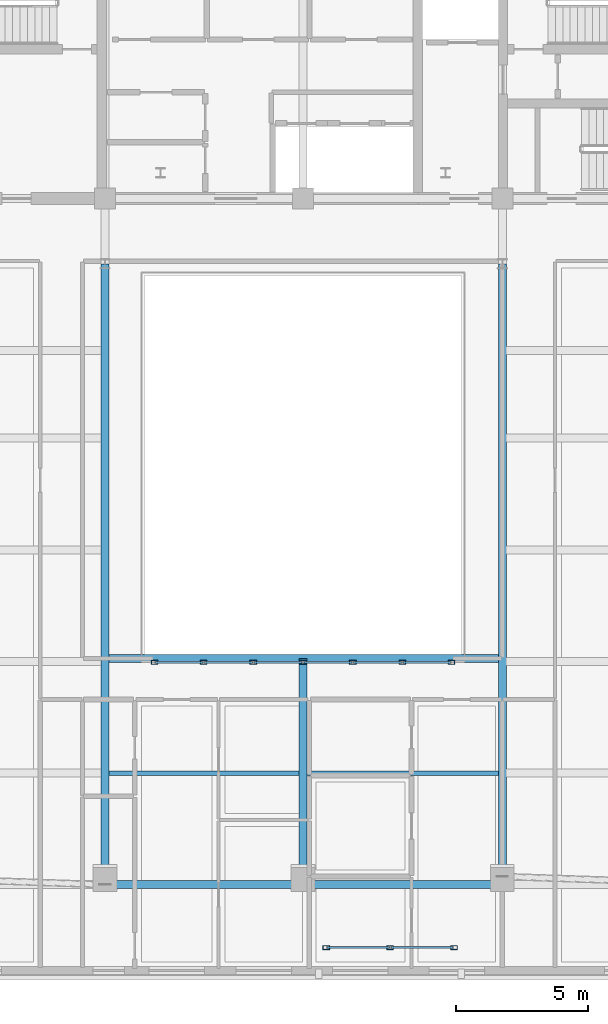
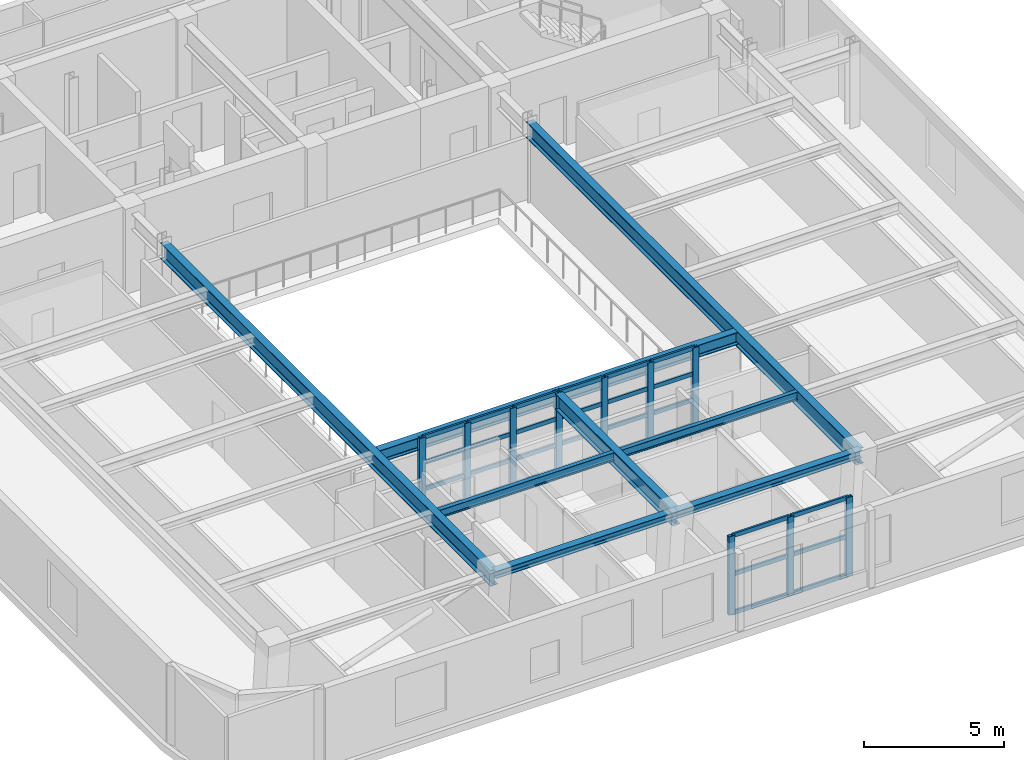
# One storey, part 2 of 12: 40 members, 8 beams, 2 elements without a shape of their own.
"""IFC4 building model written with IfcOpenShell, lengths in metres."""

import ifcopenshell
import ifcopenshell.guid

model = None  # the IFC model being written
_history = None  # IfcOwnerHistory: only IFC2X3 demands one
_inside = {}  # id of a spatial element -> (the spatial element, [elements in it])
_under = {}  # id of a project, library or spatial element -> (it, [spatial elements below it])
_declared = {}  # id of a project -> (the project, [libraries it declares])
_typed = {}  # id of a type object -> (the type object, [elements of that type])
_made_of = {}  # id of a material, layer set ... -> (it, [elements and type objects made of it])


def new_model(schema):
    """Start an empty IFC model of exactly this schema.

    Asked for "IFC4X3", IfcOpenShell would pick the latest addendum, in which some entities
    have other attributes; the version numbers below select the first issue.
    IFC2X3 requires an IfcOwnerHistory on every rooted entity: one is made here for all.
    """
    global model, _history
    if schema == "IFC4X3":
        model = ifcopenshell.file(schema_version=(4, 3, 0, 0))
    else:
        model = ifcopenshell.file(schema=schema)
    _inside.clear()
    _under.clear()
    _declared.clear()
    _typed.clear()
    _made_of.clear()
    _history = None
    if model.schema == "IFC2X3":
        org = make("IfcOrganization", Name="unknown")
        user = make(
            "IfcPersonAndOrganization",
            ThePerson=make("IfcPerson", FamilyName="unknown"),
            TheOrganization=org,
        )
        app = make(
            "IfcApplication",
            ApplicationDeveloper=org,
            Version="unknown",
            ApplicationFullName="unknown",
            ApplicationIdentifier="unknown",
        )
        _history = make(
            "IfcOwnerHistory",
            OwningUser=user,
            OwningApplication=app,
            ChangeAction="ADDED",
            CreationDate=0,
        )
    return model


def make(cls, **values):
    """One entity of the class cls with the attributes given. An attribute that is None is left unset."""
    return model.create_entity(
        cls, **{name: value for name, value in values.items() if value is not None}
    )


def rooted(cls, **values):
    """An entity with a GlobalId (a new one), such as an element, a storey or a relation."""
    return make(cls, GlobalId=ifcopenshell.guid.new(), OwnerHistory=_history, **values)


def si_unit(unit_type, name, prefix=None):
    """IfcSIUnit, for example si_unit("LENGTHUNIT", "METRE", prefix="MILLI")."""
    return make("IfcSIUnit", UnitType=unit_type, Prefix=prefix, Name=name)


def assignment(units):
    """IfcUnitAssignment: the units of a project."""
    return None if units is None else make("IfcUnitAssignment", Units=units)


def point(xyz):
    """IfcCartesianPoint."""
    return None if xyz is None else make("IfcCartesianPoint", Coordinates=xyz)


def direction(xyz):
    """IfcDirection."""
    return None if xyz is None else make("IfcDirection", DirectionRatios=xyz)


def frame(location, z_axis=None, x_axis=None):
    """IfcAxis2Placement3D, a coordinate frame: its origin and axes. An axis left out is left unset."""
    return make(
        "IfcAxis2Placement3D",
        Location=point(location),
        Axis=direction(z_axis),
        RefDirection=direction(x_axis),
    )


def frame_2d(location, x_axis=None):
    """IfcAxis2Placement2D, a coordinate frame in the plane: its origin and x axis."""
    return make(
        "IfcAxis2Placement2D", Location=point(location), RefDirection=direction(x_axis)
    )


def origin():
    """The frame at (0, 0, 0) with its axes left unset."""
    return frame((0.0, 0.0, 0.0))


def origin_2d():
    """The frame at (0, 0) in the plane with its x axis left unset."""
    return frame_2d((0.0, 0.0))


def place(relative_to, where):
    """IfcLocalPlacement: puts the frame where relative to a parent placement (None: the world)."""
    return make(
        "IfcLocalPlacement", PlacementRelTo=relative_to, RelativePlacement=where
    )


def context(
    kind, dimensions, precision=None, world=None, true_north=None, identifier=None
):
    """IfcGeometricRepresentationContext, for example the 3D "Model" context."""
    return make(
        "IfcGeometricRepresentationContext",
        ContextIdentifier=identifier,
        ContextType=kind,
        CoordinateSpaceDimension=dimensions,
        Precision=precision,
        WorldCoordinateSystem=world,
        TrueNorth=true_north,
    )


def subcontext(parent, identifier, kind, view, scale=None):
    """IfcGeometricRepresentationSubContext, for example "Body" below "Model"."""
    return make(
        "IfcGeometricRepresentationSubContext",
        ContextIdentifier=identifier,
        ContextType=kind,
        ParentContext=parent,
        TargetScale=scale,
        TargetView=view,
    )


def project(units=None, contexts=None):
    """IfcProject with its units and contexts."""
    return rooted(
        "IfcProject",
        Name="project",
        RepresentationContexts=contexts,
        UnitsInContext=assignment(units),
    )


def spatial(cls, under=None, at=None, **own):
    """A site, building, storey or space (cls), placed at a placement, below another one or the project."""
    s = rooted(cls, ObjectPlacement=at, **own)
    if under is not None:
        _under.setdefault(under.id(), (under, []))[1].append(s)
    return s


def profile(cls, at=None, kind="AREA", **sizes):
    """A parametric profile (cls). Its sizes go by their IFC names, for example OverallWidth=200.0."""
    return make(cls, ProfileType=kind, Position=at, **sizes)


def hollow_rectangle(**sizes):
    """IfcRectangleHollowProfileDef."""
    return profile("IfcRectangleHollowProfileDef", **sizes)


def i_section(**sizes):
    """IfcIShapeProfileDef."""
    return profile("IfcIShapeProfileDef", **sizes)


def extrude(swept, where, along, depth):
    """IfcExtrudedAreaSolid: the profile swept, set in the frame where, extruded along a direction by depth."""
    return make(
        "IfcExtrudedAreaSolid",
        SweptArea=swept,
        Position=where,
        ExtrudedDirection=direction(along),
        Depth=depth,
    )


def shape(context_of_items, identifier, shape_type, items):
    """IfcShapeRepresentation: the items that make up one representation, for example the "Body"."""
    return make(
        "IfcShapeRepresentation",
        ContextOfItems=context_of_items,
        RepresentationIdentifier=identifier,
        RepresentationType=shape_type,
        Items=items,
    )


def material(Name=None, Category=None):
    """IfcMaterial."""
    return make("IfcMaterial", Name=Name, Category=Category)


def layer(
    of_material, thickness, ventilated=None, Name=None, Category=None, Priority=None
):
    """IfcMaterialLayer: one layer of a wall or slab, of a material (None: an air gap)."""
    return make(
        "IfcMaterialLayer",
        Material=of_material,
        LayerThickness=thickness,
        IsVentilated=ventilated,
        Name=Name,
        Category=Category,
        Priority=Priority,
    )


def layer_set(layers, Name=None):
    """IfcMaterialLayerSet."""
    return make("IfcMaterialLayerSet", MaterialLayers=layers, LayerSetName=Name)


def material_profile(
    of_material, cross_section, Name=None, Category=None, Priority=None
):
    """IfcMaterialProfile: a cross section and its material."""
    return make(
        "IfcMaterialProfile",
        Name=Name,
        Material=of_material,
        Profile=cross_section,
        Priority=Priority,
        Category=Category,
    )


def profile_set(profiles, Name=None, composite=None):
    """IfcMaterialProfileSet."""
    return make(
        "IfcMaterialProfileSet",
        Name=Name,
        MaterialProfiles=profiles,
        CompositeProfile=composite,
    )


def made_of(thing, what):
    """Note that an element or type object is made of a material, layer set ...; save() writes the relation."""
    if what is not None:
        _made_of.setdefault(what.id(), (what, []))[1].append(thing)
    return thing


def type_object(cls, material=None, **own):
    """A type object (cls), such as IfcWallType, which elements share."""
    return made_of(rooted(cls, **own), material)


def element(
    cls,
    number,
    at=None,
    inside=None,
    cuts=None,
    type_object=None,
    material=None,
    context=None,
    identifier="Body",
    shape_type=None,
    held_by="IfcProductDefinitionShape",
    body=None,
    shapes=None,
    **own,
):
    """One element of the class cls, such as IfcWall. Its Tag is "e" and its number.

    at: its placement. inside: the storey or other place that contains it. cuts: it is an
    opening in that element (IfcRelVoidsElement). A single representation is given by context,
    identifier, shape_type and body (its items); several are given by shapes. held_by: the class
    of the entity that holds the representations. save() writes the other relations.
    """
    e = rooted(cls, Tag="e%d" % number, ObjectPlacement=at, **own)
    if body is not None:
        shapes = [shape(context, identifier, shape_type, body)]
    if shapes is not None:
        e.Representation = make(held_by, Representations=shapes)
    if inside is not None:
        _inside.setdefault(inside.id(), (inside, []))[1].append(e)
    if cuts is not None:
        rooted(
            "IfcRelVoidsElement", RelatingBuildingElement=cuts, RelatedOpeningElement=e
        )
    if type_object is not None:
        _typed.setdefault(type_object.id(), (type_object, []))[1].append(e)
    return made_of(e, material)


def aggregate(whole, parts):
    """IfcRelAggregates: a whole, such as a stair, and the parts it consists of."""
    return rooted("IfcRelAggregates", RelatingObject=whole, RelatedObjects=parts)


def save(model, path):
    """Write the relations noted so far, then the file.

    IfcRelAggregates (storeys below a building ...), IfcRelContainedInSpatialStructure (elements
    in a storey), IfcRelDefinesByType, IfcRelAssociatesMaterial and IfcRelDeclares: one each for
    every whole, place, type object, material and project.
    """
    for whole, parts in _under.values():
        aggregate(whole, parts)
    for where, things in _inside.values():
        rooted(
            "IfcRelContainedInSpatialStructure",
            RelatedElements=things,
            RelatingStructure=where,
        )
    for kind, things in _typed.values():
        rooted("IfcRelDefinesByType", RelatedObjects=things, RelatingType=kind)
    for what, things in _made_of.values():
        rooted("IfcRelAssociatesMaterial", RelatedObjects=things, RelatingMaterial=what)
    for by, libraries in _declared.values():
        rooted("IfcRelDeclares", RelatingContext=by, RelatedDefinitions=libraries)
    model.write(path)


model = new_model("IFC4")

# Units and contexts
model_context = context("Model", 3, precision=1e-05, world=origin(), true_north=direction((0.0, 1.0)))
body_context = subcontext(model_context, "Body", "Model", "MODEL_VIEW")
ifc_project = project(units=[si_unit("LENGTHUNIT", "METRE"), si_unit("AREAUNIT", "SQUARE_METRE"), si_unit("VOLUMEUNIT", "CUBIC_METRE"), si_unit("PLANEANGLEUNIT", "RADIAN"), si_unit("MASSUNIT", "GRAM", prefix="KILO")], contexts=[model_context])

# Site, building, storey
site_placement = place(None, origin())
site = spatial("IfcSite", under=ifc_project, at=site_placement, CompositionType="ELEMENT")
building_placement = place(site_placement, origin())
building = spatial("IfcBuilding", under=site, at=building_placement, Name="Zarnavel Station Tower", CompositionType="ELEMENT")
storey_placement = place(building_placement, frame((0.0, 0.0, 265.800048828125)))
storey = spatial("IfcBuildingStorey", under=building, at=storey_placement, Name="L72", CompositionType="ELEMENT", Elevation=265.800048828125)

# Curtain wall, members
ifc_material_1 = material(Name="Aluminium Dark Anodised and Solar-Control Glass", Category="aluminium")
ifc_layer = layer(ifc_material_1, 0.179931640625)
ifc_layer_set = layer_set([ifc_layer], Name="CWS6")
curtain_wall_type = type_object("IfcCurtainWallType", Name="CWS6", PredefinedType="NOTDEFINED", material=ifc_layer_set)
curtain_wall_1_placement = place(storey_placement, origin())
curtain_wall_1 = element("IfcCurtainWall", 1, at=curtain_wall_1_placement, inside=storey, type_object=curtain_wall_type, Name="L72 Curtain Wall CWS6-LOG-L72", PredefinedType="NOTDEFINED")
ifc_material_2 = material(Name="Steel S355J2 (Black Fluoropolymer Coated)", Category="steel")
ifc_material_profile_1 = material_profile(ifc_material_2, hollow_rectangle(XDim=0.14990234375, YDim=0.25, WallThickness=0.010009765625, at=origin_2d()), Name="RHS250x150x10")
ifc_profile_set_1 = profile_set([ifc_material_profile_1], Name="Steel S355J2 (Black Fluoropolymer Coated)")
member_type_1 = type_object("IfcMemberType", Name="CWS6_MUL", PredefinedType="MULLION", material=ifc_profile_set_1)
member_1_placement = place(storey_placement, frame((29.679931640625, -0.550048828125, 0.0), z_axis=(0.0, 0.0, 1.0), x_axis=(0.0, 1.0, 0.0)))
member_1 = element("IfcMember", 2, at=member_1_placement, type_object=member_type_1, Name="CW6 mullion 1", PredefinedType="MULLION", context=body_context, shape_type="SweptSolid", body=[
    extrude(hollow_rectangle(XDim=0.14990234375, YDim=0.25, WallThickness=0.010009765625, at=origin_2d()), origin(), (0.0, 0.0, 1.0), 3.419921875),
])
member_2_placement = place(storey_placement, frame((32.10009765625, -0.550048828125, 0.0), z_axis=(0.0, 0.0, 1.0), x_axis=(0.0, 1.0, 0.0)))
member_2 = element("IfcMember", 3, at=member_2_placement, type_object=member_type_1, Name="CW6 mullion 2", PredefinedType="MULLION", context=body_context, shape_type="SweptSolid", body=[
    extrude(hollow_rectangle(XDim=0.14990234375, YDim=0.25, WallThickness=0.010009765625, at=origin_2d()), origin(), (0.0, 0.0, 1.0), 3.419921875),
])
member_3_placement = place(storey_placement, frame((34.52001953125, -0.550048828125, 0.0), z_axis=(0.0, 0.0, 1.0), x_axis=(0.0, 1.0, 0.0)))
member_3 = element("IfcMember", 4, at=member_3_placement, type_object=member_type_1, Name="CW6 mullion 3", PredefinedType="MULLION", context=body_context, shape_type="SweptSolid", body=[
    extrude(hollow_rectangle(XDim=0.14990234375, YDim=0.25, WallThickness=0.010009765625, at=origin_2d()), origin(), (0.0, 0.0, 1.0), 3.419921875),
])

curtain_wall_2_placement = place(storey_placement, origin())
curtain_wall_2 = element("IfcCurtainWall", 5, at=curtain_wall_2_placement, inside=storey, type_object=curtain_wall_type, Name="L72 Curtain Wall CWS6-L72-AS", PredefinedType="NOTDEFINED")
member_4_placement = place(storey_placement, frame((23.179931640625, 10.25, 0.0), z_axis=(0.0, 0.0, 1.0), x_axis=(0.0, 1.0, 0.0)))
member_4 = element("IfcMember", 6, at=member_4_placement, type_object=member_type_1, Name="CW6 mullion 1", PredefinedType="MULLION", context=body_context, shape_type="SweptSolid", body=[
    extrude(hollow_rectangle(XDim=0.14990234375, YDim=0.25, WallThickness=0.010009765625, at=origin_2d()), origin(), (0.0, 0.0, 1.0), 3.419921875),
])
member_5_placement = place(storey_placement, frame((25.033447265625, 10.25, 0.0), z_axis=(0.0, 0.0, 1.0), x_axis=(0.0, 1.0, 0.0)))
member_5 = element("IfcMember", 7, at=member_5_placement, type_object=member_type_1, Name="CW6 mullion 2", PredefinedType="MULLION", context=body_context, shape_type="SweptSolid", body=[
    extrude(hollow_rectangle(XDim=0.14990234375, YDim=0.25, WallThickness=0.010009765625, at=origin_2d()), origin(), (0.0, 0.0, 1.0), 3.419921875),
])
member_6_placement = place(storey_placement, frame((26.916748046875, 10.25, 0.0), z_axis=(0.0, 0.0, 1.0), x_axis=(0.0, 1.0, 0.0)))
member_6 = element("IfcMember", 8, at=member_6_placement, type_object=member_type_1, Name="CW6 mullion 3", PredefinedType="MULLION", context=body_context, shape_type="SweptSolid", body=[
    extrude(hollow_rectangle(XDim=0.14990234375, YDim=0.25, WallThickness=0.010009765625, at=origin_2d()), origin(), (0.0, 0.0, 1.0), 3.419921875),
])
member_7_placement = place(storey_placement, frame((28.800048828125, 10.25, 0.0), z_axis=(0.0, 0.0, 1.0), x_axis=(0.0, 1.0, 0.0)))
member_7 = element("IfcMember", 9, at=member_7_placement, type_object=member_type_1, Name="CW6 mullion 4", PredefinedType="MULLION", context=body_context, shape_type="SweptSolid", body=[
    extrude(hollow_rectangle(XDim=0.14990234375, YDim=0.25, WallThickness=0.010009765625, at=origin_2d()), origin(), (0.0, 0.0, 1.0), 3.419921875),
])
member_8_placement = place(storey_placement, frame((30.683349609375, 10.25, 0.0), z_axis=(0.0, 0.0, 1.0), x_axis=(0.0, 1.0, 0.0)))
member_8 = element("IfcMember", 10, at=member_8_placement, type_object=member_type_1, Name="CW6 mullion 5", PredefinedType="MULLION", context=body_context, shape_type="SweptSolid", body=[
    extrude(hollow_rectangle(XDim=0.14990234375, YDim=0.25, WallThickness=0.010009765625, at=origin_2d()), origin(), (0.0, 0.0, 1.0), 3.419921875),
])
member_9_placement = place(storey_placement, frame((32.566650390625, 10.25, 0.0), z_axis=(0.0, 0.0, 1.0), x_axis=(0.0, 1.0, 0.0)))
member_9 = element("IfcMember", 11, at=member_9_placement, type_object=member_type_1, Name="CW6 mullion 6", PredefinedType="MULLION", context=body_context, shape_type="SweptSolid", body=[
    extrude(hollow_rectangle(XDim=0.14990234375, YDim=0.25, WallThickness=0.010009765625, at=origin_2d()), origin(), (0.0, 0.0, 1.0), 3.419921875),
])
member_10_placement = place(storey_placement, frame((34.419921875, 10.25, 0.0), z_axis=(0.0, 0.0, 1.0), x_axis=(0.0, 1.0, 0.0)))
member_10 = element("IfcMember", 12, at=member_10_placement, type_object=member_type_1, Name="CW6 mullion 7", PredefinedType="MULLION", context=body_context, shape_type="SweptSolid", body=[
    extrude(hollow_rectangle(XDim=0.14990234375, YDim=0.25, WallThickness=0.010009765625, at=origin_2d()), origin(), (0.0, 0.0, 1.0), 3.419921875),
])

# Member
ifc_material_3 = material(Name="Steel S355J2 (Black Fluoropolymer Coated)", Category="steel")
ifc_material_profile_2 = material_profile(ifc_material_3, hollow_rectangle(XDim=0.080078125, YDim=0.179931640625, WallThickness=0.00634765625, at=origin_2d()), Name="RHS180x80x6.3")
ifc_profile_set_2 = profile_set([ifc_material_profile_2], Name="Steel S355J2 (Black Fluoropolymer Coated)")
member_type_2 = type_object("IfcMemberType", Name="CWS6_TRN", PredefinedType="USERDEFINED", material=ifc_profile_set_2)
member_11_placement = place(storey_placement, frame((29.7099609375, -0.550048828125, 0.030029296875), z_axis=(1.0, 0.0, 0.0), x_axis=(0.0, 1.0, 0.0)))
member_11 = element("IfcMember", 13, at=member_11_placement, type_object=member_type_2, Name="CW6 transom 1.1", ObjectType="TRANSOM", PredefinedType="USERDEFINED", context=body_context, shape_type="SweptSolid", body=[
    extrude(hollow_rectangle(XDim=0.080078125, YDim=0.179931640625, WallThickness=0.00634765625, at=origin_2d()), origin(), (0.0, 0.0, 1.0), 2.360107421875),
])

member_12_placement = place(storey_placement, frame((29.7099609375, -0.550048828125, 1.7099609375), z_axis=(1.0, 0.0, 0.0), x_axis=(0.0, 1.0, 0.0)))
member_12 = element("IfcMember", 14, at=member_12_placement, type_object=member_type_2, Name="CW6 transom 1.2", ObjectType="TRANSOM", PredefinedType="USERDEFINED", context=body_context, shape_type="SweptSolid", body=[
    extrude(hollow_rectangle(XDim=0.080078125, YDim=0.179931640625, WallThickness=0.00634765625, at=origin_2d()), origin(), (0.0, 0.0, 1.0), 2.360107421875),
])

member_13_placement = place(storey_placement, frame((29.7099609375, -0.550048828125, 3.389892578125), z_axis=(1.0, 0.0, 0.0), x_axis=(0.0, 1.0, 0.0)))
member_13 = element("IfcMember", 15, at=member_13_placement, type_object=member_type_2, Name="CW6 transom 1.3", ObjectType="TRANSOM", PredefinedType="USERDEFINED", context=body_context, shape_type="SweptSolid", body=[
    extrude(hollow_rectangle(XDim=0.080078125, YDim=0.179931640625, WallThickness=0.00634765625, at=origin_2d()), origin(), (0.0, 0.0, 1.0), 2.360107421875),
])

member_14_placement = place(storey_placement, frame((32.1298828125, -0.550048828125, 0.030029296875), z_axis=(1.0, 0.0, 0.0), x_axis=(0.0, 1.0, 0.0)))
member_14 = element("IfcMember", 16, at=member_14_placement, type_object=member_type_2, Name="CW6 transom 2.1", ObjectType="TRANSOM", PredefinedType="USERDEFINED", context=body_context, shape_type="SweptSolid", body=[
    extrude(hollow_rectangle(XDim=0.080078125, YDim=0.179931640625, WallThickness=0.00634765625, at=origin_2d()), origin(), (0.0, 0.0, 1.0), 2.360107421875),
])

member_15_placement = place(storey_placement, frame((32.1298828125, -0.550048828125, 1.7099609375), z_axis=(1.0, 0.0, 0.0), x_axis=(0.0, 1.0, 0.0)))
member_15 = element("IfcMember", 17, at=member_15_placement, type_object=member_type_2, Name="CW6 transom 2.2", ObjectType="TRANSOM", PredefinedType="USERDEFINED", context=body_context, shape_type="SweptSolid", body=[
    extrude(hollow_rectangle(XDim=0.080078125, YDim=0.179931640625, WallThickness=0.00634765625, at=origin_2d()), origin(), (0.0, 0.0, 1.0), 2.360107421875),
])

member_16_placement = place(storey_placement, frame((32.1298828125, -0.550048828125, 3.389892578125), z_axis=(1.0, 0.0, 0.0), x_axis=(0.0, 1.0, 0.0)))
member_16 = element("IfcMember", 18, at=member_16_placement, type_object=member_type_2, Name="CW6 transom 2.3", ObjectType="TRANSOM", PredefinedType="USERDEFINED", context=body_context, shape_type="SweptSolid", body=[
    extrude(hollow_rectangle(XDim=0.080078125, YDim=0.179931640625, WallThickness=0.00634765625, at=origin_2d()), origin(), (0.0, 0.0, 1.0), 2.360107421875),
])

aggregate(curtain_wall_1, [member_1, member_2, member_3, member_11, member_12, member_13, member_14, member_15, member_16])

member_17_placement = place(storey_placement, frame((23.2099609375, 10.25, 0.030029296875), z_axis=(1.0, 0.0, 0.0), x_axis=(0.0, 1.0, 0.0)))
member_17 = element("IfcMember", 19, at=member_17_placement, type_object=member_type_2, Name="CW6 transom 1.1", ObjectType="TRANSOM", PredefinedType="USERDEFINED", context=body_context, shape_type="SweptSolid", body=[
    extrude(hollow_rectangle(XDim=0.080078125, YDim=0.179931640625, WallThickness=0.00634765625, at=origin_2d()), origin(), (0.0, 0.0, 1.0), 1.79345703125),
])

member_18_placement = place(storey_placement, frame((23.2099609375, 10.25, 1.139892578125), z_axis=(1.0, 0.0, 0.0), x_axis=(0.0, 1.0, 0.0)))
member_18 = element("IfcMember", 20, at=member_18_placement, type_object=member_type_2, Name="CW6 transom 1.2", ObjectType="TRANSOM", PredefinedType="USERDEFINED", context=body_context, shape_type="SweptSolid", body=[
    extrude(hollow_rectangle(XDim=0.080078125, YDim=0.179931640625, WallThickness=0.00634765625, at=origin_2d()), origin(), (0.0, 0.0, 1.0), 1.79345703125),
])

member_19_placement = place(storey_placement, frame((23.2099609375, 10.25, 2.280029296875), z_axis=(1.0, 0.0, 0.0), x_axis=(0.0, 1.0, 0.0)))
member_19 = element("IfcMember", 21, at=member_19_placement, type_object=member_type_2, Name="CW6 transom 1.3", ObjectType="TRANSOM", PredefinedType="USERDEFINED", context=body_context, shape_type="SweptSolid", body=[
    extrude(hollow_rectangle(XDim=0.080078125, YDim=0.179931640625, WallThickness=0.00634765625, at=origin_2d()), origin(), (0.0, 0.0, 1.0), 1.79345703125),
])

member_20_placement = place(storey_placement, frame((23.2099609375, 10.25, 3.389892578125), z_axis=(1.0, 0.0, 0.0), x_axis=(0.0, 1.0, 0.0)))
member_20 = element("IfcMember", 22, at=member_20_placement, type_object=member_type_2, Name="CW6 transom 1.4", ObjectType="TRANSOM", PredefinedType="USERDEFINED", context=body_context, shape_type="SweptSolid", body=[
    extrude(hollow_rectangle(XDim=0.080078125, YDim=0.179931640625, WallThickness=0.00634765625, at=origin_2d()), origin(), (0.0, 0.0, 1.0), 1.79345703125),
])

member_21_placement = place(storey_placement, frame((25.063232421875, 10.25, 0.030029296875), z_axis=(1.0, 0.0, 0.0), x_axis=(0.0, 1.0, 0.0)))
member_21 = element("IfcMember", 23, at=member_21_placement, type_object=member_type_2, Name="CW6 transom 2.1", ObjectType="TRANSOM", PredefinedType="USERDEFINED", context=body_context, shape_type="SweptSolid", body=[
    extrude(hollow_rectangle(XDim=0.080078125, YDim=0.179931640625, WallThickness=0.00634765625, at=origin_2d()), origin(), (0.0, 0.0, 1.0), 1.823486328125),
])

member_22_placement = place(storey_placement, frame((25.063232421875, 10.25, 1.139892578125), z_axis=(1.0, 0.0, 0.0), x_axis=(0.0, 1.0, 0.0)))
member_22 = element("IfcMember", 24, at=member_22_placement, type_object=member_type_2, Name="CW6 transom 2.2", ObjectType="TRANSOM", PredefinedType="USERDEFINED", context=body_context, shape_type="SweptSolid", body=[
    extrude(hollow_rectangle(XDim=0.080078125, YDim=0.179931640625, WallThickness=0.00634765625, at=origin_2d()), origin(), (0.0, 0.0, 1.0), 1.823486328125),
])

member_23_placement = place(storey_placement, frame((25.063232421875, 10.25, 2.280029296875), z_axis=(1.0, 0.0, 0.0), x_axis=(0.0, 1.0, 0.0)))
member_23 = element("IfcMember", 25, at=member_23_placement, type_object=member_type_2, Name="CW6 transom 2.3", ObjectType="TRANSOM", PredefinedType="USERDEFINED", context=body_context, shape_type="SweptSolid", body=[
    extrude(hollow_rectangle(XDim=0.080078125, YDim=0.179931640625, WallThickness=0.00634765625, at=origin_2d()), origin(), (0.0, 0.0, 1.0), 1.823486328125),
])

member_24_placement = place(storey_placement, frame((25.063232421875, 10.25, 3.389892578125), z_axis=(1.0, 0.0, 0.0), x_axis=(0.0, 1.0, 0.0)))
member_24 = element("IfcMember", 26, at=member_24_placement, type_object=member_type_2, Name="CW6 transom 2.4", ObjectType="TRANSOM", PredefinedType="USERDEFINED", context=body_context, shape_type="SweptSolid", body=[
    extrude(hollow_rectangle(XDim=0.080078125, YDim=0.179931640625, WallThickness=0.00634765625, at=origin_2d()), origin(), (0.0, 0.0, 1.0), 1.823486328125),
])

member_25_placement = place(storey_placement, frame((26.94677734375, 10.25, 0.030029296875), z_axis=(1.0, 0.0, 0.0), x_axis=(0.0, 1.0, 0.0)))
member_25 = element("IfcMember", 27, at=member_25_placement, type_object=member_type_2, Name="CW6 transom 3.1", ObjectType="TRANSOM", PredefinedType="USERDEFINED", context=body_context, shape_type="SweptSolid", body=[
    extrude(hollow_rectangle(XDim=0.080078125, YDim=0.179931640625, WallThickness=0.00634765625, at=origin_2d()), origin(), (0.0, 0.0, 1.0), 1.8232421875),
])

member_26_placement = place(storey_placement, frame((26.94677734375, 10.25, 1.139892578125), z_axis=(1.0, 0.0, 0.0), x_axis=(0.0, 1.0, 0.0)))
member_26 = element("IfcMember", 28, at=member_26_placement, type_object=member_type_2, Name="CW6 transom 3.2", ObjectType="TRANSOM", PredefinedType="USERDEFINED", context=body_context, shape_type="SweptSolid", body=[
    extrude(hollow_rectangle(XDim=0.080078125, YDim=0.179931640625, WallThickness=0.00634765625, at=origin_2d()), origin(), (0.0, 0.0, 1.0), 1.8232421875),
])

member_27_placement = place(storey_placement, frame((26.94677734375, 10.25, 2.280029296875), z_axis=(1.0, 0.0, 0.0), x_axis=(0.0, 1.0, 0.0)))
member_27 = element("IfcMember", 29, at=member_27_placement, type_object=member_type_2, Name="CW6 transom 3.3", ObjectType="TRANSOM", PredefinedType="USERDEFINED", context=body_context, shape_type="SweptSolid", body=[
    extrude(hollow_rectangle(XDim=0.080078125, YDim=0.179931640625, WallThickness=0.00634765625, at=origin_2d()), origin(), (0.0, 0.0, 1.0), 1.8232421875),
])

member_28_placement = place(storey_placement, frame((26.94677734375, 10.25, 3.389892578125), z_axis=(1.0, 0.0, 0.0), x_axis=(0.0, 1.0, 0.0)))
member_28 = element("IfcMember", 30, at=member_28_placement, type_object=member_type_2, Name="CW6 transom 3.4", ObjectType="TRANSOM", PredefinedType="USERDEFINED", context=body_context, shape_type="SweptSolid", body=[
    extrude(hollow_rectangle(XDim=0.080078125, YDim=0.179931640625, WallThickness=0.00634765625, at=origin_2d()), origin(), (0.0, 0.0, 1.0), 1.8232421875),
])

member_29_placement = place(storey_placement, frame((28.830078125, 10.25, 0.030029296875), z_axis=(1.0, 0.0, 0.0), x_axis=(0.0, 1.0, 0.0)))
member_29 = element("IfcMember", 31, at=member_29_placement, type_object=member_type_2, Name="CW6 transom 4.1", ObjectType="TRANSOM", PredefinedType="USERDEFINED", context=body_context, shape_type="SweptSolid", body=[
    extrude(hollow_rectangle(XDim=0.080078125, YDim=0.179931640625, WallThickness=0.00634765625, at=origin_2d()), origin(), (0.0, 0.0, 1.0), 1.8232421875),
])

member_30_placement = place(storey_placement, frame((28.830078125, 10.25, 1.139892578125), z_axis=(1.0, 0.0, 0.0), x_axis=(0.0, 1.0, 0.0)))
member_30 = element("IfcMember", 32, at=member_30_placement, type_object=member_type_2, Name="CW6 transom 4.2", ObjectType="TRANSOM", PredefinedType="USERDEFINED", context=body_context, shape_type="SweptSolid", body=[
    extrude(hollow_rectangle(XDim=0.080078125, YDim=0.179931640625, WallThickness=0.00634765625, at=origin_2d()), origin(), (0.0, 0.0, 1.0), 1.8232421875),
])

member_31_placement = place(storey_placement, frame((28.830078125, 10.25, 2.280029296875), z_axis=(1.0, 0.0, 0.0), x_axis=(0.0, 1.0, 0.0)))
member_31 = element("IfcMember", 33, at=member_31_placement, type_object=member_type_2, Name="CW6 transom 4.3", ObjectType="TRANSOM", PredefinedType="USERDEFINED", context=body_context, shape_type="SweptSolid", body=[
    extrude(hollow_rectangle(XDim=0.080078125, YDim=0.179931640625, WallThickness=0.00634765625, at=origin_2d()), origin(), (0.0, 0.0, 1.0), 1.8232421875),
])

member_32_placement = place(storey_placement, frame((28.830078125, 10.25, 3.389892578125), z_axis=(1.0, 0.0, 0.0), x_axis=(0.0, 1.0, 0.0)))
member_32 = element("IfcMember", 34, at=member_32_placement, type_object=member_type_2, Name="CW6 transom 4.4", ObjectType="TRANSOM", PredefinedType="USERDEFINED", context=body_context, shape_type="SweptSolid", body=[
    extrude(hollow_rectangle(XDim=0.080078125, YDim=0.179931640625, WallThickness=0.00634765625, at=origin_2d()), origin(), (0.0, 0.0, 1.0), 1.8232421875),
])

member_33_placement = place(storey_placement, frame((30.71337890625, 10.25, 0.030029296875), z_axis=(1.0, 0.0, 0.0), x_axis=(0.0, 1.0, 0.0)))
member_33 = element("IfcMember", 35, at=member_33_placement, type_object=member_type_2, Name="CW6 transom 5.1", ObjectType="TRANSOM", PredefinedType="USERDEFINED", context=body_context, shape_type="SweptSolid", body=[
    extrude(hollow_rectangle(XDim=0.080078125, YDim=0.179931640625, WallThickness=0.00634765625, at=origin_2d()), origin(), (0.0, 0.0, 1.0), 1.8232421875),
])

member_34_placement = place(storey_placement, frame((30.71337890625, 10.25, 1.139892578125), z_axis=(1.0, 0.0, 0.0), x_axis=(0.0, 1.0, 0.0)))
member_34 = element("IfcMember", 36, at=member_34_placement, type_object=member_type_2, Name="CW6 transom 5.2", ObjectType="TRANSOM", PredefinedType="USERDEFINED", context=body_context, shape_type="SweptSolid", body=[
    extrude(hollow_rectangle(XDim=0.080078125, YDim=0.179931640625, WallThickness=0.00634765625, at=origin_2d()), origin(), (0.0, 0.0, 1.0), 1.8232421875),
])

member_35_placement = place(storey_placement, frame((30.71337890625, 10.25, 2.280029296875), z_axis=(1.0, 0.0, 0.0), x_axis=(0.0, 1.0, 0.0)))
member_35 = element("IfcMember", 37, at=member_35_placement, type_object=member_type_2, Name="CW6 transom 5.3", ObjectType="TRANSOM", PredefinedType="USERDEFINED", context=body_context, shape_type="SweptSolid", body=[
    extrude(hollow_rectangle(XDim=0.080078125, YDim=0.179931640625, WallThickness=0.00634765625, at=origin_2d()), origin(), (0.0, 0.0, 1.0), 1.8232421875),
])

member_36_placement = place(storey_placement, frame((30.71337890625, 10.25, 3.389892578125), z_axis=(1.0, 0.0, 0.0), x_axis=(0.0, 1.0, 0.0)))
member_36 = element("IfcMember", 38, at=member_36_placement, type_object=member_type_2, Name="CW6 transom 5.4", ObjectType="TRANSOM", PredefinedType="USERDEFINED", context=body_context, shape_type="SweptSolid", body=[
    extrude(hollow_rectangle(XDim=0.080078125, YDim=0.179931640625, WallThickness=0.00634765625, at=origin_2d()), origin(), (0.0, 0.0, 1.0), 1.8232421875),
])

member_37_placement = place(storey_placement, frame((32.5966796875, 10.25, 0.030029296875), z_axis=(1.0, 0.0, 0.0), x_axis=(0.0, 1.0, 0.0)))
member_37 = element("IfcMember", 39, at=member_37_placement, type_object=member_type_2, Name="CW6 transom 6.1", ObjectType="TRANSOM", PredefinedType="USERDEFINED", context=body_context, shape_type="SweptSolid", body=[
    extrude(hollow_rectangle(XDim=0.080078125, YDim=0.179931640625, WallThickness=0.00634765625, at=origin_2d()), origin(), (0.0, 0.0, 1.0), 1.793212890625),
])

member_38_placement = place(storey_placement, frame((32.5966796875, 10.25, 1.139892578125), z_axis=(1.0, 0.0, 0.0), x_axis=(0.0, 1.0, 0.0)))
member_38 = element("IfcMember", 40, at=member_38_placement, type_object=member_type_2, Name="CW6 transom 6.2", ObjectType="TRANSOM", PredefinedType="USERDEFINED", context=body_context, shape_type="SweptSolid", body=[
    extrude(hollow_rectangle(XDim=0.080078125, YDim=0.179931640625, WallThickness=0.00634765625, at=origin_2d()), origin(), (0.0, 0.0, 1.0), 1.793212890625),
])

member_39_placement = place(storey_placement, frame((32.5966796875, 10.25, 2.280029296875), z_axis=(1.0, 0.0, 0.0), x_axis=(0.0, 1.0, 0.0)))
member_39 = element("IfcMember", 41, at=member_39_placement, type_object=member_type_2, Name="CW6 transom 6.3", ObjectType="TRANSOM", PredefinedType="USERDEFINED", context=body_context, shape_type="SweptSolid", body=[
    extrude(hollow_rectangle(XDim=0.080078125, YDim=0.179931640625, WallThickness=0.00634765625, at=origin_2d()), origin(), (0.0, 0.0, 1.0), 1.793212890625),
])

member_40_placement = place(storey_placement, frame((32.5966796875, 10.25, 3.389892578125), z_axis=(1.0, 0.0, 0.0), x_axis=(0.0, 1.0, 0.0)))
member_40 = element("IfcMember", 42, at=member_40_placement, type_object=member_type_2, Name="CW6 transom 6.4", ObjectType="TRANSOM", PredefinedType="USERDEFINED", context=body_context, shape_type="SweptSolid", body=[
    extrude(hollow_rectangle(XDim=0.080078125, YDim=0.179931640625, WallThickness=0.00634765625, at=origin_2d()), origin(), (0.0, 0.0, 1.0), 1.793212890625),
])

aggregate(curtain_wall_2, [member_4, member_5, member_6, member_7, member_8, member_9, member_10, member_17, member_18, member_19, member_20, member_21, member_22, member_23, member_24, member_25, member_26, member_27, member_28, member_29, member_30, member_31, member_32, member_33, member_34, member_35, member_36, member_37, member_38, member_39, member_40])

# Beams
ifc_material_4 = material(Name="Steel S355J2", Category="steel")
ifc_material_profile_3 = material_profile(ifc_material_4, i_section(OverallWidth=0.300048828125, OverallDepth=0.320068359375, WebThickness=0.011474609375, FlangeThickness=0.0205078125, FilletRadius=0.027099609375, at=origin_2d()), Name="HEB320")
ifc_profile_set_3 = profile_set([ifc_material_profile_3], Name="Steel S355J2")
beam_type_1 = type_object("IfcBeamType", Name="EB_HEB320", PredefinedType="SPANDREL", material=ifc_profile_set_3)
beam_1_placement = place(storey_placement, frame((21.300048828125, 1.831298828125, 3.260009765625), z_axis=(1.0, 0.0, 0.0), x_axis=(0.0, 1.0, 0.0)))
element("IfcBeam", 43, at=beam_1_placement, inside=storey, type_object=beam_type_1, Name="L72 South Raked Spandrel 2", PredefinedType="SPANDREL", context=body_context, shape_type="SweptSolid", body=[
    extrude(i_section(OverallWidth=0.300048828125, OverallDepth=0.320068359375, WebThickness=0.011474609375, FlangeThickness=0.0205078125, FilletRadius=0.027099609375, at=origin_2d()), origin(), (0.0, 0.0, 1.0), 7.5),
])
beam_2_placement = place(storey_placement, frame((28.800048828125, 1.831298828125, 3.260009765625), z_axis=(1.0, 0.0, 0.0), x_axis=(0.0, 1.0, 0.0)))
element("IfcBeam", 44, at=beam_2_placement, inside=storey, type_object=beam_type_1, Name="L72 South Raked Spandrel 3", PredefinedType="SPANDREL", context=body_context, shape_type="SweptSolid", body=[
    extrude(i_section(OverallWidth=0.300048828125, OverallDepth=0.320068359375, WebThickness=0.011474609375, FlangeThickness=0.0205078125, FilletRadius=0.027099609375, at=origin_2d()), origin(), (0.0, 0.0, 1.0), 7.550048828125),
])
ifc_material_5 = material(Name="Steel S355J2", Category="steel")
ifc_material_profile_4 = material_profile(ifc_material_5, i_section(OverallWidth=0.300048828125, OverallDepth=0.5400390625, WebThickness=0.012451171875, FlangeThickness=0.02392578125, FilletRadius=0.027099609375, at=origin_2d()), Name="HEA550")
ifc_profile_set_4 = profile_set([ifc_material_profile_4], Name="Steel S355J2")
beam_type_2 = type_object("IfcBeamType", Name="FB_HEA550", PredefinedType="BEAM", material=ifc_profile_set_4)
beam_3_placement = place(storey_placement, frame((21.445068359375, 10.39990234375, 3.14990234375), z_axis=(1.0, 0.0, 0.0), x_axis=(0.0, 1.0, 0.0)))
element("IfcBeam", 45, at=beam_3_placement, inside=storey, type_object=beam_type_2, Name="L72 Atrium South Edge Girder", PredefinedType="BEAM", context=body_context, shape_type="SweptSolid", body=[
    extrude(i_section(OverallWidth=0.300048828125, OverallDepth=0.5400390625, WebThickness=0.012451171875, FlangeThickness=0.02392578125, FilletRadius=0.027099609375, at=origin_2d()), origin(), (0.0, 0.0, 1.0), 14.760009765625),
])
ifc_material_6 = material(Name="Steel S355J2", Category="steel")
ifc_material_profile_5 = material_profile(ifc_material_6, i_section(OverallWidth=0.300048828125, OverallDepth=0.699951171875, WebThickness=0.01708984375, FlangeThickness=0.031982421875, FilletRadius=0.027099609375, at=origin_2d()), Name="HEB700")
ifc_profile_set_5 = profile_set([ifc_material_profile_5], Name="Steel S355J2")
beam_type_3 = type_object("IfcBeamType", Name="FG_HEB700", PredefinedType="USERDEFINED", material=ifc_profile_set_5)
beam_4_placement = place(storey_placement, frame((21.300048828125, 1.831298828125, 3.070068359375), z_axis=(0.0, 1.0, 0.0), x_axis=(-1.0, 0.0, 0.0)))
element("IfcBeam", 46, at=beam_4_placement, inside=storey, type_object=beam_type_3, Name="L72 South-Zone NS Girder 2", ObjectType="GIRDER", PredefinedType="USERDEFINED", context=body_context, shape_type="SweptSolid", body=[
    extrude(i_section(OverallWidth=0.300048828125, OverallDepth=0.699951171875, WebThickness=0.01708984375, FlangeThickness=0.031982421875, FilletRadius=0.027099609375, at=origin_2d()), origin(), (0.0, 0.0, 1.0), 23.518798828125),
])
beam_5_placement = place(storey_placement, frame((28.800048828125, 1.831298828125, 3.070068359375), z_axis=(0.0, 1.0, 0.0), x_axis=(-1.0, 0.0, 0.0)))
element("IfcBeam", 47, at=beam_5_placement, inside=storey, type_object=beam_type_3, Name="L72 Central Atrium-South Girder", ObjectType="GIRDER", PredefinedType="USERDEFINED", context=body_context, shape_type="SweptSolid", body=[
    extrude(i_section(OverallWidth=0.300048828125, OverallDepth=0.699951171875, WebThickness=0.01708984375, FlangeThickness=0.031982421875, FilletRadius=0.027099609375, at=origin_2d()), origin(), (0.0, 0.0, 1.0), 8.568603515625),
])
beam_6_placement = place(storey_placement, frame((36.35009765625, 1.831298828125, 3.070068359375), z_axis=(0.0, 1.0, 0.0), x_axis=(-1.0, 0.0, 0.0)))
element("IfcBeam", 48, at=beam_6_placement, inside=storey, type_object=beam_type_3, Name="L72 South-Zone NS Girder 4", ObjectType="GIRDER", PredefinedType="USERDEFINED", context=body_context, shape_type="SweptSolid", body=[
    extrude(i_section(OverallWidth=0.300048828125, OverallDepth=0.699951171875, WebThickness=0.01708984375, FlangeThickness=0.031982421875, FilletRadius=0.027099609375, at=origin_2d()), origin(), (0.0, 0.0, 1.0), 23.518798828125),
])
ifc_material_7 = material(Name="Steel S355J2", Category="steel")
ifc_material_profile_6 = material_profile(ifc_material_7, i_section(OverallWidth=0.169921875, OverallDepth=0.360107421875, WebThickness=0.008056640625, FlangeThickness=0.0126953125, FilletRadius=0.01806640625, at=origin_2d()), Name="IPE360")
ifc_profile_set_6 = profile_set([ifc_material_profile_6], Name="Steel S355J2")
beam_type_4 = type_object("IfcBeamType", Name="FJ_IPE360", PredefinedType="JOIST", material=ifc_profile_set_6)
beam_7_placement = place(storey_placement, frame((21.445068359375, 6.059326171875, 3.239990234375), z_axis=(1.0, 0.0, 0.0), x_axis=(0.0, 1.0, 0.0)))
element("IfcBeam", 49, at=beam_7_placement, inside=storey, type_object=beam_type_4, Name="L72 Mid-West Joist 1", PredefinedType="JOIST", context=body_context, shape_type="SweptSolid", body=[
    extrude(i_section(OverallWidth=0.169921875, OverallDepth=0.360107421875, WebThickness=0.008056640625, FlangeThickness=0.0126953125, FilletRadius=0.01806640625, at=origin_2d()), origin(), (0.0, 0.0, 1.0), 7.2099609375),
])
beam_8_placement = place(storey_placement, frame((28.945068359375, 6.059326171875, 3.239990234375), z_axis=(1.0, 0.0, 0.0), x_axis=(0.0, 1.0, 0.0)))
element("IfcBeam", 50, at=beam_8_placement, inside=storey, type_object=beam_type_4, Name="L72 Mid-East Joist 1", PredefinedType="JOIST", context=body_context, shape_type="SweptSolid", body=[
    extrude(i_section(OverallWidth=0.169921875, OverallDepth=0.360107421875, WebThickness=0.008056640625, FlangeThickness=0.0126953125, FilletRadius=0.01806640625, at=origin_2d()), origin(), (0.0, 0.0, 1.0), 7.260009765625),
])

save(model, "model.ifc")
